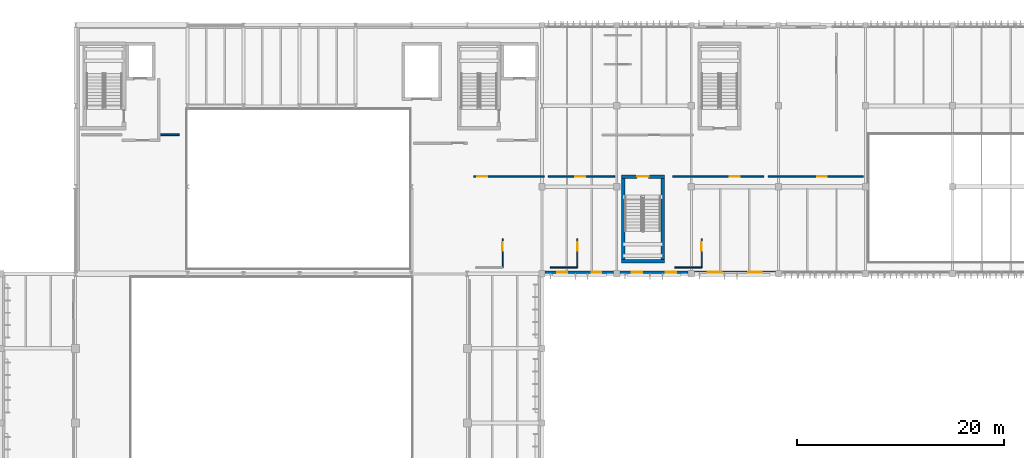
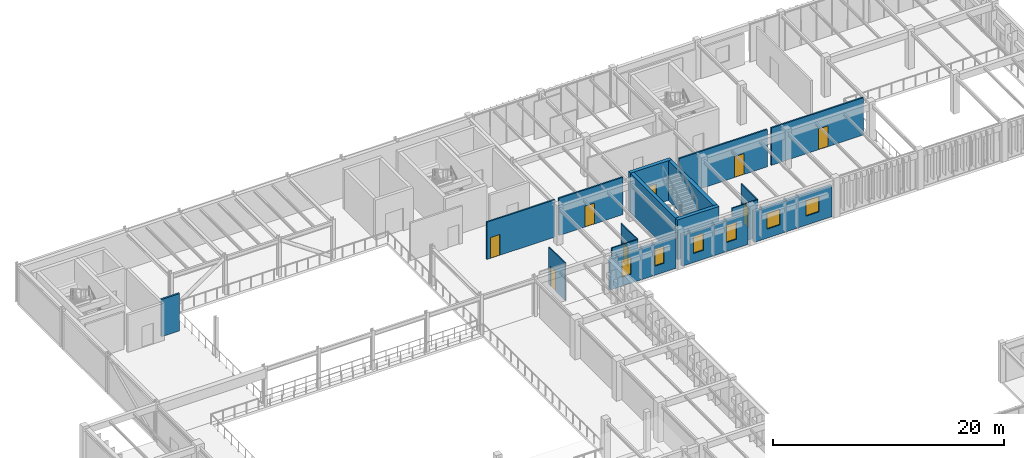
# One storey, part 45 of 122: 17 walls, 8 doors, 6 windows, 14 openings.
"""IFC4 building model written with IfcOpenShell, lengths in metres."""

import ifcopenshell
import ifcopenshell.guid

model = None  # the IFC model being written
_history = None  # IfcOwnerHistory: only IFC2X3 demands one
_inside = {}  # id of a spatial element -> (the spatial element, [elements in it])
_under = {}  # id of a project, library or spatial element -> (it, [spatial elements below it])
_declared = {}  # id of a project -> (the project, [libraries it declares])
_typed = {}  # id of a type object -> (the type object, [elements of that type])
_made_of = {}  # id of a material, layer set ... -> (it, [elements and type objects made of it])


def new_model(schema):
    """Start an empty IFC model of exactly this schema.

    Asked for "IFC4X3", IfcOpenShell would pick the latest addendum, in which some entities
    have other attributes; the version numbers below select the first issue.
    IFC2X3 requires an IfcOwnerHistory on every rooted entity: one is made here for all.
    """
    global model, _history
    if schema == "IFC4X3":
        model = ifcopenshell.file(schema_version=(4, 3, 0, 0))
    else:
        model = ifcopenshell.file(schema=schema)
    _inside.clear()
    _under.clear()
    _declared.clear()
    _typed.clear()
    _made_of.clear()
    _history = None
    if model.schema == "IFC2X3":
        org = make("IfcOrganization", Name="unknown")
        user = make(
            "IfcPersonAndOrganization",
            ThePerson=make("IfcPerson", FamilyName="unknown"),
            TheOrganization=org,
        )
        app = make(
            "IfcApplication",
            ApplicationDeveloper=org,
            Version="unknown",
            ApplicationFullName="unknown",
            ApplicationIdentifier="unknown",
        )
        _history = make(
            "IfcOwnerHistory",
            OwningUser=user,
            OwningApplication=app,
            ChangeAction="ADDED",
            CreationDate=0,
        )
    return model


def make(cls, **values):
    """One entity of the class cls with the attributes given. An attribute that is None is left unset."""
    return model.create_entity(
        cls, **{name: value for name, value in values.items() if value is not None}
    )


def rooted(cls, **values):
    """An entity with a GlobalId (a new one), such as an element, a storey or a relation."""
    return make(cls, GlobalId=ifcopenshell.guid.new(), OwnerHistory=_history, **values)


def si_unit(unit_type, name, prefix=None):
    """IfcSIUnit, for example si_unit("LENGTHUNIT", "METRE", prefix="MILLI")."""
    return make("IfcSIUnit", UnitType=unit_type, Prefix=prefix, Name=name)


def assignment(units):
    """IfcUnitAssignment: the units of a project."""
    return None if units is None else make("IfcUnitAssignment", Units=units)


def point(xyz):
    """IfcCartesianPoint."""
    return None if xyz is None else make("IfcCartesianPoint", Coordinates=xyz)


def direction(xyz):
    """IfcDirection."""
    return None if xyz is None else make("IfcDirection", DirectionRatios=xyz)


def frame(location, z_axis=None, x_axis=None):
    """IfcAxis2Placement3D, a coordinate frame: its origin and axes. An axis left out is left unset."""
    return make(
        "IfcAxis2Placement3D",
        Location=point(location),
        Axis=direction(z_axis),
        RefDirection=direction(x_axis),
    )


def frame_2d(location, x_axis=None):
    """IfcAxis2Placement2D, a coordinate frame in the plane: its origin and x axis."""
    return make(
        "IfcAxis2Placement2D", Location=point(location), RefDirection=direction(x_axis)
    )


def origin():
    """The frame at (0, 0, 0) with its axes left unset."""
    return frame((0.0, 0.0, 0.0))


def place(relative_to, where):
    """IfcLocalPlacement: puts the frame where relative to a parent placement (None: the world)."""
    return make(
        "IfcLocalPlacement", PlacementRelTo=relative_to, RelativePlacement=where
    )


def context(
    kind, dimensions, precision=None, world=None, true_north=None, identifier=None
):
    """IfcGeometricRepresentationContext, for example the 3D "Model" context."""
    return make(
        "IfcGeometricRepresentationContext",
        ContextIdentifier=identifier,
        ContextType=kind,
        CoordinateSpaceDimension=dimensions,
        Precision=precision,
        WorldCoordinateSystem=world,
        TrueNorth=true_north,
    )


def subcontext(parent, identifier, kind, view, scale=None):
    """IfcGeometricRepresentationSubContext, for example "Body" below "Model"."""
    return make(
        "IfcGeometricRepresentationSubContext",
        ContextIdentifier=identifier,
        ContextType=kind,
        ParentContext=parent,
        TargetScale=scale,
        TargetView=view,
    )


def project(units=None, contexts=None):
    """IfcProject with its units and contexts."""
    return rooted(
        "IfcProject",
        Name="project",
        RepresentationContexts=contexts,
        UnitsInContext=assignment(units),
    )


def spatial(cls, under=None, at=None, **own):
    """A site, building, storey or space (cls), placed at a placement, below another one or the project."""
    s = rooted(cls, ObjectPlacement=at, **own)
    if under is not None:
        _under.setdefault(under.id(), (under, []))[1].append(s)
    return s


def profile(cls, at=None, kind="AREA", **sizes):
    """A parametric profile (cls). Its sizes go by their IFC names, for example OverallWidth=200.0."""
    return make(cls, ProfileType=kind, Position=at, **sizes)


def rectangle(**sizes):
    """IfcRectangleProfileDef."""
    return profile("IfcRectangleProfileDef", **sizes)


def extrude(swept, where, along, depth):
    """IfcExtrudedAreaSolid: the profile swept, set in the frame where, extruded along a direction by depth."""
    return make(
        "IfcExtrudedAreaSolid",
        SweptArea=swept,
        Position=where,
        ExtrudedDirection=direction(along),
        Depth=depth,
    )


def shape(context_of_items, identifier, shape_type, items):
    """IfcShapeRepresentation: the items that make up one representation, for example the "Body"."""
    return make(
        "IfcShapeRepresentation",
        ContextOfItems=context_of_items,
        RepresentationIdentifier=identifier,
        RepresentationType=shape_type,
        Items=items,
    )


def material(Name=None, Category=None):
    """IfcMaterial."""
    return make("IfcMaterial", Name=Name, Category=Category)


def layer(
    of_material, thickness, ventilated=None, Name=None, Category=None, Priority=None
):
    """IfcMaterialLayer: one layer of a wall or slab, of a material (None: an air gap)."""
    return make(
        "IfcMaterialLayer",
        Material=of_material,
        LayerThickness=thickness,
        IsVentilated=ventilated,
        Name=Name,
        Category=Category,
        Priority=Priority,
    )


def layer_set(layers, Name=None):
    """IfcMaterialLayerSet."""
    return make("IfcMaterialLayerSet", MaterialLayers=layers, LayerSetName=Name)


def made_of(thing, what):
    """Note that an element or type object is made of a material, layer set ...; save() writes the relation."""
    if what is not None:
        _made_of.setdefault(what.id(), (what, []))[1].append(thing)
    return thing


def type_object(cls, material=None, **own):
    """A type object (cls), such as IfcWallType, which elements share."""
    return made_of(rooted(cls, **own), material)


def element(
    cls,
    number,
    at=None,
    inside=None,
    cuts=None,
    type_object=None,
    material=None,
    context=None,
    identifier="Body",
    shape_type=None,
    held_by="IfcProductDefinitionShape",
    body=None,
    shapes=None,
    **own,
):
    """One element of the class cls, such as IfcWall. Its Tag is "e" and its number.

    at: its placement. inside: the storey or other place that contains it. cuts: it is an
    opening in that element (IfcRelVoidsElement). A single representation is given by context,
    identifier, shape_type and body (its items); several are given by shapes. held_by: the class
    of the entity that holds the representations. save() writes the other relations.
    """
    e = rooted(cls, Tag="e%d" % number, ObjectPlacement=at, **own)
    if body is not None:
        shapes = [shape(context, identifier, shape_type, body)]
    if shapes is not None:
        e.Representation = make(held_by, Representations=shapes)
    if inside is not None:
        _inside.setdefault(inside.id(), (inside, []))[1].append(e)
    if cuts is not None:
        rooted(
            "IfcRelVoidsElement", RelatingBuildingElement=cuts, RelatedOpeningElement=e
        )
    if type_object is not None:
        _typed.setdefault(type_object.id(), (type_object, []))[1].append(e)
    return made_of(e, material)


def fill(opening, filler):
    """IfcRelFillsElement: the door or window that sits in an opening."""
    return rooted(
        "IfcRelFillsElement",
        RelatingOpeningElement=opening,
        RelatedBuildingElement=filler,
    )


def aggregate(whole, parts):
    """IfcRelAggregates: a whole, such as a stair, and the parts it consists of."""
    return rooted("IfcRelAggregates", RelatingObject=whole, RelatedObjects=parts)


def save(model, path):
    """Write the relations noted so far, then the file.

    IfcRelAggregates (storeys below a building ...), IfcRelContainedInSpatialStructure (elements
    in a storey), IfcRelDefinesByType, IfcRelAssociatesMaterial and IfcRelDeclares: one each for
    every whole, place, type object, material and project.
    """
    for whole, parts in _under.values():
        aggregate(whole, parts)
    for where, things in _inside.values():
        rooted(
            "IfcRelContainedInSpatialStructure",
            RelatedElements=things,
            RelatingStructure=where,
        )
    for kind, things in _typed.values():
        rooted("IfcRelDefinesByType", RelatedObjects=things, RelatingType=kind)
    for what, things in _made_of.values():
        rooted("IfcRelAssociatesMaterial", RelatedObjects=things, RelatingMaterial=what)
    for by, libraries in _declared.values():
        rooted("IfcRelDeclares", RelatingContext=by, RelatedDefinitions=libraries)
    model.write(path)


model = new_model("IFC4")

# Units and contexts
model_context = context("Model", 3, precision=1e-05, world=origin(), true_north=direction((0.0, 1.0)))
body_context = subcontext(model_context, "Body", "Model", "MODEL_VIEW")
ifc_project = project(units=[si_unit("LENGTHUNIT", "METRE"), si_unit("AREAUNIT", "SQUARE_METRE"), si_unit("VOLUMEUNIT", "CUBIC_METRE"), si_unit("PLANEANGLEUNIT", "RADIAN"), si_unit("MASSUNIT", "GRAM", prefix="KILO")], contexts=[model_context])

# Site, building, storey
site_placement = place(None, origin())
site = spatial("IfcSite", under=ifc_project, at=site_placement, CompositionType="ELEMENT")
building_placement = place(site_placement, origin())
building = spatial("IfcBuilding", under=site, at=building_placement, Name="Tazoul Stagehouse", CompositionType="ELEMENT")
storey_placement = place(building_placement, frame((0.0, 0.0, 4.800048828125)))
storey = spatial("IfcBuildingStorey", under=building, at=storey_placement, Name="L01", CompositionType="ELEMENT", Elevation=4.800048828125)

# Walls
ifc_material_1 = material(Name="Concrete C40/50", Category="concrete")
ifc_layer_1 = layer(ifc_material_1, 0.35009765625, Name="Concrete C40/50")
ifc_layer_set_1 = layer_set([ifc_layer_1], Name="Concrete C40/50")
wall_type_1 = type_object("IfcWallType", Name="Core Shear Wall 350", PredefinedType="SOLIDWALL", material=ifc_layer_set_1)
wall_1_placement = place(storey_placement, frame((114.39990234375, 89.02490234375, 0.0), z_axis=(0.0, 0.0, 1.0), x_axis=(-1.0, 0.0, 0.0)))
element("IfcWall", 1, at=wall_1_placement, inside=storey, type_object=wall_type_1, Name="L01 Core Wall CW-350 (SHF-ST-04-south)", PredefinedType="SOLIDWALL", context=body_context, shape_type="SweptSolid", body=[
    extrude(rectangle(XDim=4.14990234375, YDim=0.35009765625, at=frame_2d((2.074951171875, 0.0))), origin(), (0.0, 0.0, 1.0), 4.199951171875),
])
wall_2_placement = place(storey_placement, frame((110.425048828125, 89.199951171875, 0.0), z_axis=(0.0, 0.0, 1.0), x_axis=(0.0, 1.0, 0.0)))
element("IfcWall", 2, at=wall_2_placement, inside=storey, type_object=wall_type_1, Name="L01 Core Wall CW-350 (SHF-ST-04-west)", PredefinedType="SOLIDWALL", context=body_context, shape_type="SweptSolid", body=[
    extrude(rectangle(XDim=7.800048828125, YDim=0.35009765625, at=frame_2d((3.89990234375, 0.0))), origin(), (0.0, 0.0, 1.0), 4.199951171875),
])

# Wall, opening, door
wall_3_placement = place(storey_placement, frame((110.25, 97.175048828125, 0.0), z_axis=(0.0, 0.0, 1.0), x_axis=(1.0, 0.0, 0.0)))
wall_3 = element("IfcWall", 3, at=wall_3_placement, inside=storey, type_object=wall_type_1, Name="L01 Core Wall CW-350 (SHF-ST-04-north)", PredefinedType="SOLIDWALL", context=body_context, shape_type="SweptSolid", body=[
    extrude(rectangle(XDim=4.14990234375, YDim=0.35009765625, at=frame_2d((2.074951171875, 0.0))), origin(), (0.0, 0.0, 1.0), 4.199951171875),
])
opening_1_placement = place(wall_3_placement, frame((1.52490234375, 0.0, 0.0)))
opening_1 = element("IfcOpeningElement", 4, at=opening_1_placement, cuts=wall_3, Name="Opening FD-01", PredefinedType="OPENING", context=body_context, shape_type="SweptSolid", body=[
    extrude(rectangle(XDim=1.10009765625, YDim=2.14990234375, at=frame_2d((0.550048828125, 1.074951171875))), frame((0.0, 0.195068359375, 0.0), z_axis=(0.0, -1.0, 0.0), x_axis=(1.0, 0.0, 0.0)), (0.0, 0.0, 1.0), 0.39013671875),
])
ifc_material_2 = material(Name="Powder-Coated Galvanised Acoustic Steel", Category="steel")
door_type_1 = type_object("IfcDoorType", Name="Core Escape Stair Fire Door 1100x2150", OperationType="NOTDEFINED", PredefinedType="DOOR", material=ifc_material_2)
door_1_placement = place(opening_1_placement, origin())
door_1 = element("IfcDoor", 5, at=door_1_placement, inside=storey, type_object=door_type_1, Name="L01 Escape Stair Fire Door FD-01 (ST-04)", OperationType="SINGLE_SWING_LEFT", OverallHeight=2.14990234375, OverallWidth=1.10009765625, PredefinedType="DOOR", context=body_context, shape_type="SweptSolid", body=[
    extrude(rectangle(XDim=1.10009765625, YDim=2.14990234375, at=frame_2d((0.550048828125, 1.074951171875))), frame((0.0, 0.02490234375, 0.0), z_axis=(0.0, -1.0, 0.0), x_axis=(1.0, 0.0, 0.0)), (0.0, 0.0, 1.0), 0.050048828125),
])
fill(opening_1, door_1)

# Walls
wall_4_placement = place(storey_placement, frame((114.22509765625, 97.0, 0.0), z_axis=(0.0, 0.0, 1.0), x_axis=(0.0, -1.0, 0.0)))
element("IfcWall", 6, at=wall_4_placement, inside=storey, type_object=wall_type_1, Name="L01 Core Wall CW-350 (SHF-ST-04-east)", PredefinedType="SOLIDWALL", context=body_context, shape_type="SweptSolid", body=[
    extrude(rectangle(XDim=7.800048828125, YDim=0.35009765625, at=frame_2d((3.89990234375, 0.0))), origin(), (0.0, 0.0, 1.0), 4.199951171875),
])
ifc_material_3 = material(Name="Gypsum Acoustic Partition", Category="gypsum")
ifc_layer_2 = layer(ifc_material_3, 0.169921875, Name="Gypsum Acoustic Partition")
ifc_layer_set_2 = layer_set([ifc_layer_2], Name="Gypsum Acoustic Partition")
wall_type_2 = type_object("IfcWallType", Name="Corridor Fire-Rated Partition 170", PredefinedType="PARTITIONING", material=ifc_layer_set_2)
wall_5_placement = place(storey_placement, frame((65.800048828125, 101.199951171875, 0.0), z_axis=(0.0, 0.0, 1.0), x_axis=(1.0, 0.0, 0.0)))
element("IfcWall", 7, at=wall_5_placement, inside=storey, type_object=wall_type_2, Name="L01 Partition PW-170 (PW-RM-L01-036-N-S2)", PredefinedType="PARTITIONING", context=body_context, shape_type="SweptSolid", body=[
    extrude(rectangle(XDim=1.800048828125, YDim=0.169921875, at=frame_2d((0.89990234375, 0.0))), origin(), (0.0, 0.0, 1.0), 3.93994140625),
])

# Wall, opening, door
ifc_layer_3 = layer(ifc_material_3, 0.14990234375, Name="Gypsum Acoustic Partition")
ifc_layer_set_3 = layer_set([ifc_layer_3], Name="Gypsum Acoustic Partition")
wall_type_3 = type_object("IfcWallType", Name="Dressing Suite Acoustic Partition 150", PredefinedType="PARTITIONING", material=ifc_layer_set_3)
wall_6_placement = place(storey_placement, frame((96.0, 97.199951171875, 0.0), z_axis=(0.0, 0.0, 1.0), x_axis=(1.0, 0.0, 0.0)))
wall_6 = element("IfcWall", 8, at=wall_6_placement, inside=storey, type_object=wall_type_3, Name="L01 Partition PW-150 (PW-RM-L01-041-N)", PredefinedType="PARTITIONING", context=body_context, shape_type="SweptSolid", body=[
    extrude(rectangle(XDim=6.800048828125, YDim=0.14990234375, at=frame_2d((3.39990234375, 0.0))), origin(), (0.0, 0.0, 1.0), 3.93994140625),
])
opening_2_placement = place(wall_6_placement, frame((0.35009765625, 0.0, 0.0)))
opening_2 = element("IfcOpeningElement", 9, at=opening_2_placement, cuts=wall_6, Name="Opening ID-03", PredefinedType="OPENING", context=body_context, shape_type="SweptSolid", body=[
    extrude(rectangle(XDim=0.949951171875, YDim=2.199951171875, at=frame_2d((0.47509765625, 1.10009765625))), frame((0.0, 0.094970703125, 0.0), z_axis=(0.0, -1.0, 0.0), x_axis=(1.0, 0.0, 0.0)), (0.0, 0.0, 1.0), 0.18994140625),
])
ifc_material_4 = material(Name="Acoustic Cedar Timber", Category="wood")
door_type_2 = type_object("IfcDoorType", Name="Dressing Suite Acoustic Door 950x2200", OperationType="NOTDEFINED", PredefinedType="DOOR", material=ifc_material_4)
door_2_placement = place(opening_2_placement, origin())
door_2 = element("IfcDoor", 10, at=door_2_placement, inside=storey, type_object=door_type_2, Name="L01 Star Dressing Suite 01 Door", OperationType="SINGLE_SWING_LEFT", OverallHeight=2.199951171875, OverallWidth=0.949951171875, PredefinedType="DOOR", context=body_context, shape_type="SweptSolid", body=[
    extrude(rectangle(XDim=0.949951171875, YDim=2.199951171875, at=frame_2d((0.47509765625, 1.10009765625))), frame((0.0, 0.02490234375, 0.0), z_axis=(0.0, -1.0, 0.0), x_axis=(1.0, 0.0, 0.0)), (0.0, 0.0, 1.0), 0.050048828125),
])
fill(opening_2, door_2)

wall_7_placement = place(storey_placement, frame((103.199951171875, 97.199951171875, 0.0), z_axis=(0.0, 0.0, 1.0), x_axis=(1.0, 0.0, 0.0)))
wall_7 = element("IfcWall", 11, at=wall_7_placement, inside=storey, type_object=wall_type_3, Name="L01 Partition PW-150 (PW-RM-L01-043-N)", PredefinedType="PARTITIONING", context=body_context, shape_type="SweptSolid", body=[
    extrude(rectangle(XDim=6.400146484375, YDim=0.14990234375, at=frame_2d((3.2001953125, 0.0))), origin(), (0.0, 0.0, 1.0), 3.93994140625),
])
opening_3_placement = place(wall_7_placement, frame((2.60009765625, 0.0, 0.0)))
opening_3 = element("IfcOpeningElement", 12, at=opening_3_placement, cuts=wall_7, Name="Opening ID-03", PredefinedType="OPENING", context=body_context, shape_type="SweptSolid", body=[
    extrude(rectangle(XDim=0.949951171875, YDim=2.199951171875, at=frame_2d((0.47509765625, 1.10009765625))), frame((0.0, 0.094970703125, 0.0), z_axis=(0.0, -1.0, 0.0), x_axis=(1.0, 0.0, 0.0)), (0.0, 0.0, 1.0), 0.18994140625),
])
door_3_placement = place(opening_3_placement, origin())
door_3 = element("IfcDoor", 13, at=door_3_placement, inside=storey, type_object=door_type_2, Name="L01 Star Dressing Suite 02 Door", OperationType="SINGLE_SWING_LEFT", OverallHeight=2.199951171875, OverallWidth=0.949951171875, PredefinedType="DOOR", context=body_context, shape_type="SweptSolid", body=[
    extrude(rectangle(XDim=0.949951171875, YDim=2.199951171875, at=frame_2d((0.47509765625, 1.10009765625))), frame((0.0, 0.02490234375, 0.0), z_axis=(0.0, -1.0, 0.0), x_axis=(1.0, 0.0, 0.0)), (0.0, 0.0, 1.0), 0.050048828125),
])
fill(opening_3, door_3)

wall_8_placement = place(storey_placement, frame((115.199951171875, 97.199951171875, 0.0), z_axis=(0.0, 0.0, 1.0), x_axis=(1.0, 0.0, 0.0)))
wall_8 = element("IfcWall", 14, at=wall_8_placement, inside=storey, type_object=wall_type_3, Name="L01 Partition PW-150 (PW-RM-L01-045-N)", PredefinedType="PARTITIONING", context=body_context, shape_type="SweptSolid", body=[
    extrude(rectangle(XDim=8.800048828125, YDim=0.14990234375, at=frame_2d((4.39990234375, 0.0))), origin(), (0.0, 0.0, 1.0), 3.93994140625),
])
opening_4_placement = place(wall_8_placement, frame((5.527587890625, 0.0, 0.0)))
opening_4 = element("IfcOpeningElement", 15, at=opening_4_placement, cuts=wall_8, Name="Opening ID-03", PredefinedType="OPENING", context=body_context, shape_type="SweptSolid", body=[
    extrude(rectangle(XDim=0.949951171875, YDim=2.199951171875, at=frame_2d((0.47509765625, 1.10009765625))), frame((0.0, 0.094970703125, 0.0), z_axis=(0.0, -1.0, 0.0), x_axis=(1.0, 0.0, 0.0)), (0.0, 0.0, 1.0), 0.18994140625),
])
door_4_placement = place(opening_4_placement, origin())
door_4 = element("IfcDoor", 16, at=door_4_placement, inside=storey, type_object=door_type_2, Name="L01 Star Dressing Suite 03 Door", OperationType="SINGLE_SWING_LEFT", OverallHeight=2.199951171875, OverallWidth=0.949951171875, PredefinedType="DOOR", context=body_context, shape_type="SweptSolid", body=[
    extrude(rectangle(XDim=0.949951171875, YDim=2.199951171875, at=frame_2d((0.47509765625, 1.10009765625))), frame((0.0, 0.02490234375, 0.0), z_axis=(0.0, -1.0, 0.0), x_axis=(1.0, 0.0, 0.0)), (0.0, 0.0, 1.0), 0.050048828125),
])
fill(opening_4, door_4)

wall_9_placement = place(storey_placement, frame((124.39990234375, 97.199951171875, 0.0), z_axis=(0.0, 0.0, 1.0), x_axis=(1.0, 0.0, 0.0)))
wall_9 = element("IfcWall", 17, at=wall_9_placement, inside=storey, type_object=wall_type_3, Name="L01 Partition PW-150 (PW-RM-L01-120-N)", PredefinedType="PARTITIONING", context=body_context, shape_type="SweptSolid", body=[
    extrude(rectangle(XDim=9.2001953125, YDim=0.14990234375, at=frame_2d((4.60009765625, 0.0))), origin(), (0.0, 0.0, 1.0), 3.93994140625),
])
opening_5_placement = place(wall_9_placement, frame((4.73388671875, 0.0, 0.0)))
opening_5 = element("IfcOpeningElement", 18, at=opening_5_placement, cuts=wall_9, Name="Opening ID-03", PredefinedType="OPENING", context=body_context, shape_type="SweptSolid", body=[
    extrude(rectangle(XDim=0.949951171875, YDim=2.199951171875, at=frame_2d((0.47509765625, 1.10009765625))), frame((0.0, 0.094970703125, 0.0), z_axis=(0.0, -1.0, 0.0), x_axis=(1.0, 0.0, 0.0)), (0.0, 0.0, 1.0), 0.18994140625),
])
door_5_placement = place(opening_5_placement, origin())
door_5 = element("IfcDoor", 19, at=door_5_placement, inside=storey, type_object=door_type_2, Name="L01 Backstage Quick-Change and Props Room Door", OperationType="SINGLE_SWING_RIGHT", OverallHeight=2.199951171875, OverallWidth=0.949951171875, PredefinedType="DOOR", context=body_context, shape_type="SweptSolid", body=[
    extrude(rectangle(XDim=0.949951171875, YDim=2.199951171875, at=frame_2d((0.47509765625, 1.10009765625))), frame((0.0, 0.02490234375, 0.0), z_axis=(0.0, -1.0, 0.0), x_axis=(1.0, 0.0, 0.0)), (0.0, 0.0, 1.0), 0.050048828125),
])
fill(opening_5, door_5)

# Wall, openings, windows
ifc_material_5 = material(Name="Precast concrete C40/50", Category="concrete")
ifc_layer_4 = layer(ifc_material_5, 0.280029296875, Name="Precast concrete C40/50")
ifc_layer_set_4 = layer_set([ifc_layer_4], Name="Precast concrete C40/50")
wall_type_4 = type_object("IfcWallType", Name="Insulated Precast Acoustic Cladding Wall 280", PredefinedType="SOLIDWALL", material=ifc_layer_set_4)
wall_10_placement = place(storey_placement, frame((102.905029296875, 87.949951171875, 0.0), z_axis=(0.0, 0.0, 1.0), x_axis=(1.0, 0.0, 0.0)))
wall_10 = element("IfcWall", 20, at=wall_10_placement, inside=storey, type_object=wall_type_4, Name="L01 Wall EW-280 (WALL-V3-S1-L01-S1)", PredefinedType="SOLIDWALL", context=body_context, shape_type="SweptSolid", body=[
    extrude(rectangle(XDim=6.590087890625, YDim=0.280029296875, at=frame_2d((3.294921875, 0.0))), origin(), (0.0, 0.0, 1.0), 3.27294921875),
])
opening_6_placement = place(wall_10_placement, frame((1.1826171875, 0.0, 0.949951171875)))
opening_6 = element("IfcOpeningElement", 21, at=opening_6_placement, cuts=wall_10, Name="Opening WN-59", PredefinedType="OPENING", context=body_context, shape_type="SweptSolid", body=[
    extrude(rectangle(XDim=0.929931640625, YDim=1.800048828125, at=frame_2d((0.46484375, 0.89990234375))), frame((0.0, 0.159912109375, 0.0), z_axis=(0.0, -1.0, 0.0), x_axis=(1.0, 0.0, 0.0)), (0.0, 0.0, 1.0), 0.320068359375),
])
opening_7_placement = place(wall_10_placement, frame((4.4775390625, 0.0, 0.949951171875)))
opening_7 = element("IfcOpeningElement", 22, at=opening_7_placement, cuts=wall_10, Name="Opening WN-59", PredefinedType="OPENING", context=body_context, shape_type="SweptSolid", body=[
    extrude(rectangle(XDim=0.929931640625, YDim=1.800048828125, at=frame_2d((0.46484375, 0.89990234375))), frame((0.0, 0.159912109375, 0.0), z_axis=(0.0, -1.0, 0.0), x_axis=(1.0, 0.0, 0.0)), (0.0, 0.0, 1.0), 0.320068359375),
])
ifc_material_6 = material(Name="Double Low-E Acoustic Laminated Glass", Category="glass")
window_type_1 = type_object("IfcWindowType", Name="Architectural Acoustic Facade Window 930x1800", PartitioningType="SINGLE_PANEL", PredefinedType="WINDOW", material=ifc_material_6)
window_1_placement = place(opening_6_placement, origin())
window_1 = element("IfcWindow", 23, at=window_1_placement, inside=storey, type_object=window_type_1, Name="L01 Window WN-59 (WALL-V3-S1-L01-S1-W1)", OverallHeight=1.800048828125, OverallWidth=0.929931640625, PartitioningType="SINGLE_PANEL", PredefinedType="WINDOW", context=body_context, shape_type="SweptSolid", body=[
    extrude(rectangle(XDim=0.929931640625, YDim=1.800048828125, at=frame_2d((0.46484375, 0.89990234375))), frame((0.0, 0.030029296875, 0.0), z_axis=(0.0, -1.0, 0.0), x_axis=(1.0, 0.0, 0.0)), (0.0, 0.0, 1.0), 0.06005859375),
])
fill(opening_6, window_1)
window_2_placement = place(opening_7_placement, origin())
window_2 = element("IfcWindow", 24, at=window_2_placement, inside=storey, type_object=window_type_1, Name="L01 Window WN-59 (WALL-V3-S1-L01-S1-W2)", OverallHeight=1.800048828125, OverallWidth=0.929931640625, PartitioningType="SINGLE_PANEL", PredefinedType="WINDOW", context=body_context, shape_type="SweptSolid", body=[
    extrude(rectangle(XDim=0.929931640625, YDim=1.800048828125, at=frame_2d((0.46484375, 0.89990234375))), frame((0.0, 0.030029296875, 0.0), z_axis=(0.0, -1.0, 0.0), x_axis=(1.0, 0.0, 0.0)), (0.0, 0.0, 1.0), 0.06005859375),
])
fill(opening_7, window_2)

wall_11_placement = place(storey_placement, frame((110.10498046875, 87.949951171875, 0.0), z_axis=(0.0, 0.0, 1.0), x_axis=(1.0, 0.0, 0.0)))
wall_11 = element("IfcWall", 25, at=wall_11_placement, inside=storey, type_object=wall_type_4, Name="L01 Wall EW-280 (WALL-V3-S1-L01-S2)", PredefinedType="SOLIDWALL", context=body_context, shape_type="SweptSolid", body=[
    extrude(rectangle(XDim=6.590087890625, YDim=0.280029296875, at=frame_2d((3.294921875, 0.0))), origin(), (0.0, 0.0, 1.0), 3.27294921875),
])
opening_8_placement = place(wall_11_placement, frame((1.152587890625, 0.0, 0.949951171875)))
opening_8 = element("IfcOpeningElement", 26, at=opening_8_placement, cuts=wall_11, Name="Opening WN-61", PredefinedType="OPENING", context=body_context, shape_type="SweptSolid", body=[
    extrude(rectangle(XDim=0.989990234375, YDim=1.800048828125, at=frame_2d((0.4951171875, 0.89990234375))), frame((0.0, 0.159912109375, 0.0), z_axis=(0.0, -1.0, 0.0), x_axis=(1.0, 0.0, 0.0)), (0.0, 0.0, 1.0), 0.320068359375),
])
opening_9_placement = place(wall_11_placement, frame((4.447509765625, 0.0, 0.949951171875)))
opening_9 = element("IfcOpeningElement", 27, at=opening_9_placement, cuts=wall_11, Name="Opening WN-61", PredefinedType="OPENING", context=body_context, shape_type="SweptSolid", body=[
    extrude(rectangle(XDim=0.989990234375, YDim=1.800048828125, at=frame_2d((0.4951171875, 0.89990234375))), frame((0.0, 0.159912109375, 0.0), z_axis=(0.0, -1.0, 0.0), x_axis=(1.0, 0.0, 0.0)), (0.0, 0.0, 1.0), 0.320068359375),
])
window_type_2 = type_object("IfcWindowType", Name="Architectural Acoustic Facade Window 990x1800", PartitioningType="SINGLE_PANEL", PredefinedType="WINDOW", material=ifc_material_6)
window_3_placement = place(opening_8_placement, origin())
window_3 = element("IfcWindow", 28, at=window_3_placement, inside=storey, type_object=window_type_2, Name="L01 Window WN-61 (WALL-V3-S1-L01-S2-W1)", OverallHeight=1.800048828125, OverallWidth=0.989990234375, PartitioningType="SINGLE_PANEL", PredefinedType="WINDOW", context=body_context, shape_type="SweptSolid", body=[
    extrude(rectangle(XDim=0.989990234375, YDim=1.800048828125, at=frame_2d((0.4951171875, 0.89990234375))), frame((0.0, 0.030029296875, 0.0), z_axis=(0.0, -1.0, 0.0), x_axis=(1.0, 0.0, 0.0)), (0.0, 0.0, 1.0), 0.06005859375),
])
fill(opening_8, window_3)
window_4_placement = place(opening_9_placement, origin())
window_4 = element("IfcWindow", 29, at=window_4_placement, inside=storey, type_object=window_type_2, Name="L01 Window WN-61 (WALL-V3-S1-L01-S2-W2)", OverallHeight=1.800048828125, OverallWidth=0.989990234375, PartitioningType="SINGLE_PANEL", PredefinedType="WINDOW", context=body_context, shape_type="SweptSolid", body=[
    extrude(rectangle(XDim=0.989990234375, YDim=1.800048828125, at=frame_2d((0.4951171875, 0.89990234375))), frame((0.0, 0.030029296875, 0.0), z_axis=(0.0, -1.0, 0.0), x_axis=(1.0, 0.0, 0.0)), (0.0, 0.0, 1.0), 0.06005859375),
])
fill(opening_9, window_4)

wall_12_placement = place(storey_placement, frame((117.304931640625, 87.949951171875, 0.0), z_axis=(0.0, 0.0, 1.0), x_axis=(1.0, 0.0, 0.0)))
wall_12 = element("IfcWall", 30, at=wall_12_placement, inside=storey, type_object=wall_type_4, Name="L01 Wall EW-280 (WALL-V3-S1-L01-S3)", PredefinedType="SOLIDWALL", context=body_context, shape_type="SweptSolid", body=[
    extrude(rectangle(XDim=7.7900390625, YDim=0.280029296875, at=frame_2d((3.89501953125, 0.0))), origin(), (0.0, 0.0, 1.0), 3.27294921875),
])
opening_10_placement = place(wall_12_placement, frame((1.28759765625, 0.0, 0.949951171875)))
opening_10 = element("IfcOpeningElement", 31, at=opening_10_placement, cuts=wall_12, Name="Opening WN-47", PredefinedType="OPENING", context=body_context, shape_type="SweptSolid", body=[
    extrude(rectangle(XDim=1.320068359375, YDim=1.64990234375, at=frame_2d((0.66015625, 0.824951171875))), frame((0.0, 0.159912109375, 0.0), z_axis=(0.0, -1.0, 0.0), x_axis=(1.0, 0.0, 0.0)), (0.0, 0.0, 1.0), 0.320068359375),
])
opening_11_placement = place(wall_12_placement, frame((5.1826171875, 0.0, 0.949951171875)))
opening_11 = element("IfcOpeningElement", 32, at=opening_11_placement, cuts=wall_12, Name="Opening WN-47", PredefinedType="OPENING", context=body_context, shape_type="SweptSolid", body=[
    extrude(rectangle(XDim=1.320068359375, YDim=1.64990234375, at=frame_2d((0.66015625, 0.824951171875))), frame((0.0, 0.159912109375, 0.0), z_axis=(0.0, -1.0, 0.0), x_axis=(1.0, 0.0, 0.0)), (0.0, 0.0, 1.0), 0.320068359375),
])
window_type_3 = type_object("IfcWindowType", Name="Architectural Acoustic Facade Window 1320x1650", PartitioningType="SINGLE_PANEL", PredefinedType="WINDOW", material=ifc_material_6)
window_5_placement = place(opening_10_placement, origin())
window_5 = element("IfcWindow", 33, at=window_5_placement, inside=storey, type_object=window_type_3, Name="L01 Window WN-47 (WALL-V3-S1-L01-S3-W1)", OverallHeight=1.64990234375, OverallWidth=1.320068359375, PartitioningType="SINGLE_PANEL", PredefinedType="WINDOW", context=body_context, shape_type="SweptSolid", body=[
    extrude(rectangle(XDim=1.320068359375, YDim=1.64990234375, at=frame_2d((0.66015625, 0.824951171875))), frame((0.0, 0.030029296875, 0.0), z_axis=(0.0, -1.0, 0.0), x_axis=(1.0, 0.0, 0.0)), (0.0, 0.0, 1.0), 0.06005859375),
])
fill(opening_10, window_5)
window_6_placement = place(opening_11_placement, origin())
window_6 = element("IfcWindow", 34, at=window_6_placement, inside=storey, type_object=window_type_3, Name="L01 Window WN-47 (WALL-V3-S1-L01-S3-W2)", OverallHeight=1.64990234375, OverallWidth=1.320068359375, PartitioningType="SINGLE_PANEL", PredefinedType="WINDOW", context=body_context, shape_type="SweptSolid", body=[
    extrude(rectangle(XDim=1.320068359375, YDim=1.64990234375, at=frame_2d((0.66015625, 0.824951171875))), frame((0.0, 0.030029296875, 0.0), z_axis=(0.0, -1.0, 0.0), x_axis=(1.0, 0.0, 0.0)), (0.0, 0.0, 1.0), 0.06005859375),
])
fill(opening_11, window_6)

# Wall, opening, door
ifc_layer_5 = layer(ifc_material_3, 0.110107421875, Name="Gypsum Acoustic Partition")
ifc_layer_set_5 = layer_set([ifc_layer_5], Name="Gypsum Acoustic Partition")
wall_type_5 = type_object("IfcWallType", Name="Wet-Area Tile Backing Partition 110", PredefinedType="PARTITIONING", material=ifc_layer_set_5)
wall_13_placement = place(storey_placement, frame((98.800048828125, 91.199951171875, 0.0), z_axis=(0.0, 0.0, 1.0), x_axis=(0.0, -1.0, 0.0)))
wall_13 = element("IfcWall", 35, at=wall_13_placement, inside=storey, type_object=wall_type_5, Name="L01 Partition PW-110 (PW-RM-L01-040-E)", PredefinedType="PARTITIONING", context=body_context, shape_type="SweptSolid", body=[
    extrude(rectangle(XDim=2.800048828125, YDim=0.110107421875, at=frame_2d((1.39990234375, 0.0))), origin(), (0.0, 0.0, 1.0), 3.93994140625),
])
opening_12_placement = place(wall_13_placement, frame((0.35009765625, 0.0, 0.0)))
opening_12 = element("IfcOpeningElement", 36, at=opening_12_placement, cuts=wall_13, Name="Opening ID-01", PredefinedType="OPENING", context=body_context, shape_type="SweptSolid", body=[
    extrude(rectangle(XDim=0.85009765625, YDim=2.10009765625, at=frame_2d((0.425048828125, 1.050048828125))), frame((0.0, 0.074951171875, 0.0), z_axis=(0.0, -1.0, 0.0), x_axis=(1.0, 0.0, 0.0)), (0.0, 0.0, 1.0), 0.150146484375),
])
door_type_3 = type_object("IfcDoorType", Name="En-Suite Bathroom Door 850x2100", OperationType="NOTDEFINED", PredefinedType="DOOR", material=ifc_material_4)
door_6_placement = place(opening_12_placement, origin())
door_6 = element("IfcDoor", 37, at=door_6_placement, inside=storey, type_object=door_type_3, Name="L01 En-Suite Shower WC 01 Door", OperationType="SINGLE_SWING_RIGHT", OverallHeight=2.10009765625, OverallWidth=0.85009765625, PredefinedType="DOOR", context=body_context, shape_type="SweptSolid", body=[
    extrude(rectangle(XDim=0.85009765625, YDim=2.10009765625, at=frame_2d((0.425048828125, 1.050048828125))), frame((0.0, 0.02490234375, 0.0), z_axis=(0.0, -1.0, 0.0), x_axis=(1.0, 0.0, 0.0)), (0.0, 0.0, 1.0), 0.050048828125),
])
fill(opening_12, door_6)

wall_14_placement = place(storey_placement, frame((106.0, 91.199951171875, 0.0), z_axis=(0.0, 0.0, 1.0), x_axis=(0.0, -1.0, 0.0)))
wall_14 = element("IfcWall", 38, at=wall_14_placement, inside=storey, type_object=wall_type_5, Name="L01 Partition PW-110 (PW-RM-L01-042-E)", PredefinedType="PARTITIONING", context=body_context, shape_type="SweptSolid", body=[
    extrude(rectangle(XDim=2.800048828125, YDim=0.110107421875, at=frame_2d((1.39990234375, 0.0))), origin(), (0.0, 0.0, 1.0), 3.93994140625),
])
opening_13_placement = place(wall_14_placement, frame((0.35009765625, 0.0, 0.0)))
opening_13 = element("IfcOpeningElement", 39, at=opening_13_placement, cuts=wall_14, Name="Opening ID-01", PredefinedType="OPENING", context=body_context, shape_type="SweptSolid", body=[
    extrude(rectangle(XDim=0.85009765625, YDim=2.10009765625, at=frame_2d((0.425048828125, 1.050048828125))), frame((0.0, 0.074951171875, 0.0), z_axis=(0.0, -1.0, 0.0), x_axis=(1.0, 0.0, 0.0)), (0.0, 0.0, 1.0), 0.150146484375),
])
door_7_placement = place(opening_13_placement, origin())
door_7 = element("IfcDoor", 40, at=door_7_placement, inside=storey, type_object=door_type_3, Name="L01 En-Suite Shower WC 02 Door", OperationType="SINGLE_SWING_RIGHT", OverallHeight=2.10009765625, OverallWidth=0.85009765625, PredefinedType="DOOR", context=body_context, shape_type="SweptSolid", body=[
    extrude(rectangle(XDim=0.85009765625, YDim=2.10009765625, at=frame_2d((0.425048828125, 1.050048828125))), frame((0.0, 0.02490234375, 0.0), z_axis=(0.0, -1.0, 0.0), x_axis=(1.0, 0.0, 0.0)), (0.0, 0.0, 1.0), 0.050048828125),
])
fill(opening_13, door_7)

# Wall
wall_15_placement = place(storey_placement, frame((106.0, 88.39990234375, 0.0), z_axis=(0.0, 0.0, 1.0), x_axis=(-1.0, 0.0, 0.0)))
element("IfcWall", 41, at=wall_15_placement, inside=storey, type_object=wall_type_5, Name="L01 Partition PW-110 (PW-RM-L01-042-S)", PredefinedType="PARTITIONING", context=body_context, shape_type="SweptSolid", body=[
    extrude(rectangle(XDim=2.60009765625, YDim=0.110107421875, at=frame_2d((1.300048828125, 0.0))), origin(), (0.0, 0.0, 1.0), 3.93994140625),
])

# Wall, opening, door
wall_16_placement = place(storey_placement, frame((118.0, 91.199951171875, 0.0), z_axis=(0.0, 0.0, 1.0), x_axis=(0.0, -1.0, 0.0)))
wall_16 = element("IfcWall", 42, at=wall_16_placement, inside=storey, type_object=wall_type_5, Name="L01 Partition PW-110 (PW-RM-L01-044-E)", PredefinedType="PARTITIONING", context=body_context, shape_type="SweptSolid", body=[
    extrude(rectangle(XDim=2.800048828125, YDim=0.110107421875, at=frame_2d((1.39990234375, 0.0))), origin(), (0.0, 0.0, 1.0), 3.93994140625),
])
opening_14_placement = place(wall_16_placement, frame((0.35009765625, 0.0, 0.0)))
opening_14 = element("IfcOpeningElement", 43, at=opening_14_placement, cuts=wall_16, Name="Opening ID-01", PredefinedType="OPENING", context=body_context, shape_type="SweptSolid", body=[
    extrude(rectangle(XDim=0.85009765625, YDim=2.10009765625, at=frame_2d((0.425048828125, 1.050048828125))), frame((0.0, 0.074951171875, 0.0), z_axis=(0.0, -1.0, 0.0), x_axis=(1.0, 0.0, 0.0)), (0.0, 0.0, 1.0), 0.150146484375),
])
door_8_placement = place(opening_14_placement, origin())
door_8 = element("IfcDoor", 44, at=door_8_placement, inside=storey, type_object=door_type_3, Name="L01 En-Suite Shower WC 03 Door", OperationType="SINGLE_SWING_RIGHT", OverallHeight=2.10009765625, OverallWidth=0.85009765625, PredefinedType="DOOR", context=body_context, shape_type="SweptSolid", body=[
    extrude(rectangle(XDim=0.85009765625, YDim=2.10009765625, at=frame_2d((0.425048828125, 1.050048828125))), frame((0.0, 0.02490234375, 0.0), z_axis=(0.0, -1.0, 0.0), x_axis=(1.0, 0.0, 0.0)), (0.0, 0.0, 1.0), 0.050048828125),
])
fill(opening_14, door_8)

# Wall
wall_17_placement = place(storey_placement, frame((118.0, 88.39990234375, 0.0), z_axis=(0.0, 0.0, 1.0), x_axis=(-1.0, 0.0, 0.0)))
element("IfcWall", 45, at=wall_17_placement, inside=storey, type_object=wall_type_5, Name="L01 Partition PW-110 (PW-RM-L01-044-S)", PredefinedType="PARTITIONING", context=body_context, shape_type="SweptSolid", body=[
    extrude(rectangle(XDim=2.60009765625, YDim=0.110107421875, at=frame_2d((1.300048828125, 0.0))), origin(), (0.0, 0.0, 1.0), 3.93994140625),
])

save(model, "model.ifc")
